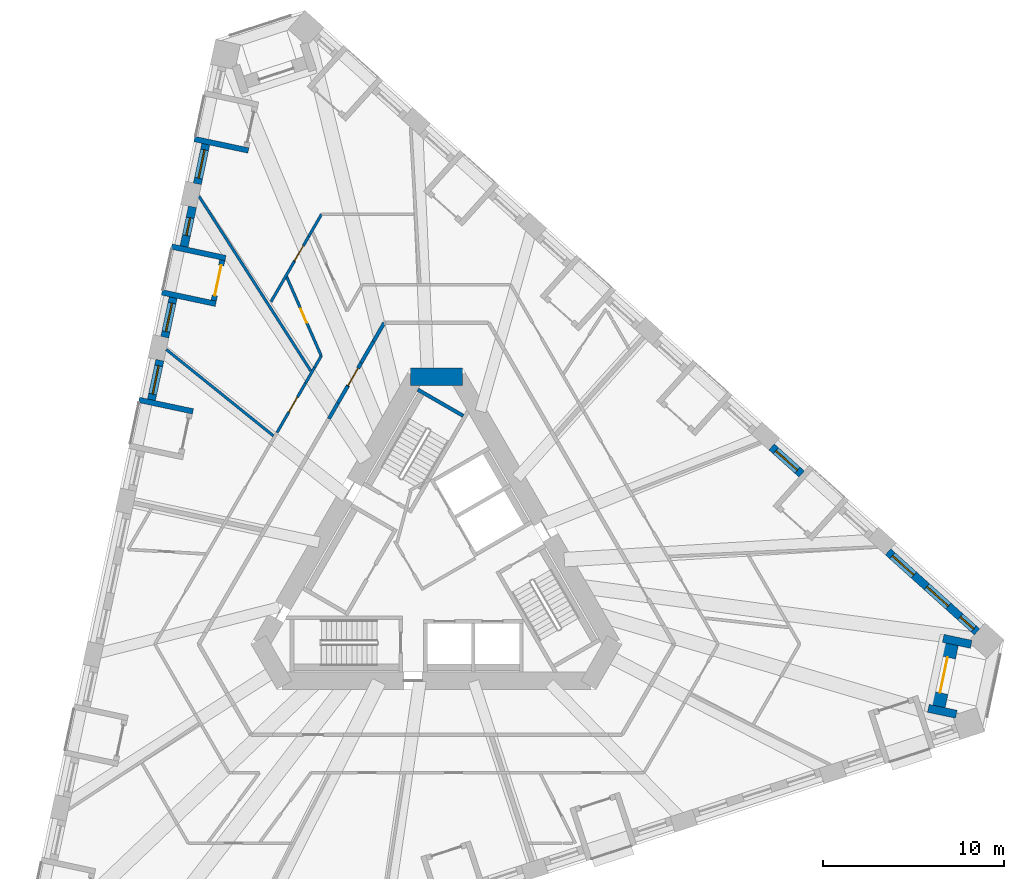
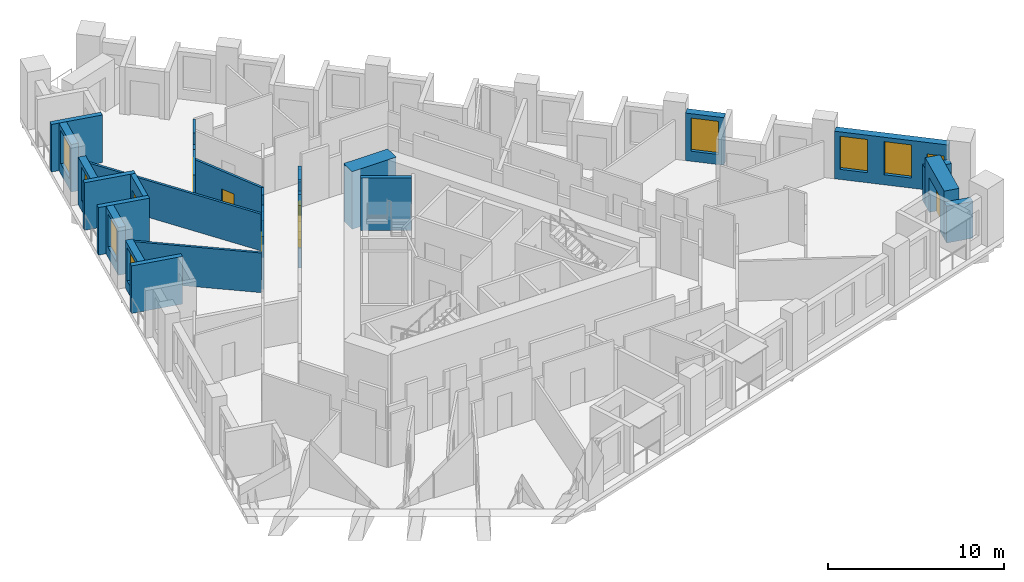
# One storey, part 7 of 12: 30 walls, 8 windows, 6 doors, 14 openings.
"""IFC4 building model written with IfcOpenShell, lengths in metres."""

from ifc_helpers import new_model, si_unit, direction, frame, frame_2d, origin, place, context, subcontext, project, spatial, polyline, rectangle, outline, extrude, material, layer, layer_set, type_object, element, fill, save


model = new_model("IFC4")

# Units and contexts
model_context = context("Model", 3, precision=1e-05, world=origin(), true_north=direction((0.0, 1.0)))
body_context = subcontext(model_context, "Body", "Model", "MODEL_VIEW")
ifc_project = project(units=[si_unit("LENGTHUNIT", "METRE"), si_unit("AREAUNIT", "SQUARE_METRE"), si_unit("VOLUMEUNIT", "CUBIC_METRE"), si_unit("PLANEANGLEUNIT", "RADIAN"), si_unit("MASSUNIT", "GRAM", prefix="KILO")], contexts=[model_context])

# Site, building, storey
site_placement = place(None, origin())
site = spatial("IfcSite", under=ifc_project, at=site_placement, CompositionType="ELEMENT")
building_placement = place(site_placement, origin())
building = spatial("IfcBuilding", under=site, at=building_placement, Name="Tramontana Tower", CompositionType="ELEMENT")
storey_placement = place(building_placement, frame((0.0, 0.0, 96.39990234375)))
storey = spatial("IfcBuildingStorey", under=building, at=storey_placement, Name="L21", CompositionType="ELEMENT", Elevation=96.39990234375)

# Walls
ifc_material_1 = material(Name="Concrete 70 MPa", Category="concrete")
ifc_layer_1 = layer(ifc_material_1, 0.949951171875)
ifc_layer_set_1 = layer_set([ifc_layer_1], Name="Core wall 950 70 MPa")
wall_type_1 = type_object("IfcWallType", Name="Core wall 950 70 MPa", PredefinedType="SHEAR", material=ifc_layer_set_1)
wall_1_placement = place(storey_placement, frame((1.443359375, 10.52490234375, 0.0), z_axis=(0.0, 0.0, 1.0), x_axis=(-1.0, 0.0, 0.0)))
element("IfcWall", 1, at=wall_1_placement, inside=storey, type_object=wall_type_1, Name="Core wall C0 L21", PredefinedType="SHEAR", context=body_context, shape_type="SweptSolid", body=[
    extrude(rectangle(XDim=2.88671875, YDim=0.949951171875, at=frame_2d((1.443359375, 0.0))), origin(), (0.0, 0.0, 1.0), 4.0),
])
ifc_material_2 = material(Name="Blockwork", Category="masonry")
ifc_layer_2 = layer(ifc_material_2, 0.199951171875)
ifc_layer_set_2 = layer_set([ifc_layer_2], Name="ENTRY WALL 200")
wall_type_2 = type_object("IfcWallType", Name="ENTRY WALL 200", PredefinedType="SOLIDWALL", material=ifc_layer_set_2)
wall_2_placement = place(storey_placement, frame((-5.944091796875, 8.20458984375, 0.0), z_axis=(0.0, 0.0, 1.0), x_axis=(0.500051323872, 0.865995769906, 0.0)))
element("IfcWall", 2, at=wall_2_placement, inside=storey, type_object=wall_type_2, Name="Wall v20-ew4-7", PredefinedType="SOLIDWALL", context=body_context, shape_type="SweptSolid", body=[
    extrude(rectangle(XDim=1.0068359375, YDim=0.199951171875, at=frame_2d((0.50341796875, 0.0))), origin(), (0.0, 0.0, 1.0), 2.550048828125),
])
wall_3_placement = place(storey_placement, frame((-5.440673828125, 9.076416015625, 0.0), z_axis=(0.0, 0.0, 1.0), x_axis=(0.499920058375, 0.866071553184, 0.0)))
element("IfcWall", 3, at=wall_3_placement, inside=storey, type_object=wall_type_2, Name="Wall v20-ew4-8", PredefinedType="SOLIDWALL", context=body_context, shape_type="SweptSolid", body=[
    extrude(rectangle(XDim=1.069580078125, YDim=0.199951171875, at=frame_2d((0.53466796875, 0.0))), origin(), (0.0, 0.0, 1.0), 3.650146484375),
])

# Wall, opening, door
wall_4_placement = place(storey_placement, frame((-4.906005859375, 10.002685546875, 0.0), z_axis=(0.0, 0.0, 1.0), x_axis=(0.500096935553, 0.865969430783, 0.0)))
wall_4 = element("IfcWall", 4, at=wall_4_placement, inside=storey, type_object=wall_type_2, Name="Wall v20-ew4-9", PredefinedType="SOLIDWALL", context=body_context, shape_type="SweptSolid", body=[
    extrude(outline(polyline([(0.0, 0.0), (1.486083984375, 0.0), (1.48583984375, 2.550048828125), (0.349853515625, 2.550048828125), (0.349853515625, 3.650146484375), (0.0, 3.650146484375), (0.0, 0.0)])), frame((0.0, 0.10009765625, 0.0), z_axis=(0.0, -1.0, 0.0), x_axis=(1.0, 0.0, 0.0)), (0.0, 0.0, 1.0), 0.199951171875),
])
opening_1_placement = place(wall_4_placement, frame((0.050048828125, 0.0, 0.0)))
opening_1 = element("IfcOpeningElement", 5, at=opening_1_placement, cuts=wall_4, Name="Opening B2A-22", PredefinedType="OPENING", context=body_context, shape_type="SweptSolid", body=[
    extrude(rectangle(XDim=1.10009765625, YDim=2.39990234375, at=frame_2d((0.550048828125, 1.199951171875))), frame((0.0, 0.10986328125, 0.0), z_axis=(0.0, -1.0, 0.0), x_axis=(1.0, 0.0, 0.0)), (0.0, 0.0, 1.0), 0.219970703125),
])
ifc_material_3 = material(Name="Painted timber", Category="wood")
door_type_1 = type_object("IfcDoorType", Name="DOOR ENTRY 1100", OperationType="SINGLE_SWING_LEFT", PredefinedType="DOOR", material=ifc_material_3)
door_1_placement = place(opening_1_placement, origin())
door_1 = element("IfcDoor", 6, at=door_1_placement, inside=storey, type_object=door_type_1, Name="Door B2A-22", OperationType="SINGLE_SWING_RIGHT", OverallHeight=2.39990234375, OverallWidth=1.10009765625, PredefinedType="DOOR", context=body_context, shape_type="SweptSolid", body=[
    extrude(rectangle(XDim=1.10009765625, YDim=2.39990234375, at=frame_2d((0.550048828125, 1.199951171875))), frame((0.0, 0.02490234375, 0.0), z_axis=(0.0, -1.0, 0.0), x_axis=(1.0, 0.0, 0.0)), (0.0, 0.0, 1.0), 0.050048828125),
])
fill(opening_1, door_1)

# Walls
wall_5_placement = place(storey_placement, frame((-4.162841796875, 11.28955078125, 0.0), z_axis=(0.0, 0.0, 1.0), x_axis=(0.499903734186, 0.866080975745, 0.0)))
element("IfcWall", 7, at=wall_5_placement, inside=storey, type_object=wall_type_2, Name="Wall v20-ew4-10", PredefinedType="SOLIDWALL", context=body_context, shape_type="SweptSolid", body=[
    extrude(rectangle(XDim=1.360107421875, YDim=0.199951171875, at=frame_2d((0.68017578125, 0.0))), origin(), (0.0, 0.0, 1.0), 3.650146484375),
])
wall_6_placement = place(storey_placement, frame((-3.48291015625, 12.467529296875, 0.0), z_axis=(0.0, 0.0, 1.0), x_axis=(0.500059236744, 0.865991200733, 0.0)))
element("IfcWall", 8, at=wall_6_placement, inside=storey, type_object=wall_type_2, Name="Wall v20-ew4-11", PredefinedType="SOLIDWALL", context=body_context, shape_type="SweptSolid", body=[
    extrude(rectangle(XDim=1.192138671875, YDim=0.199951171875, at=frame_2d((0.59619140625, 0.0))), origin(), (0.0, 0.0, 1.0), 2.550048828125),
])

# Wall, opening, window
ifc_material_4 = material(Name="Precast concrete 60 MPa", Category="concrete")
ifc_layer_3 = layer(ifc_material_4, 0.449951171875)
ifc_layer_set_3 = layer_set([ifc_layer_3], Name="Precast concrete 60 MPa, 450 mm")
wall_type_3 = type_object("IfcWallType", Name="EW1 Stone-faced precast wall 450", PredefinedType="SOLIDWALL", material=ifc_layer_set_3)
wall_7_placement = place(storey_placement, frame((-12.7451171875, 23.36767578125, 0.0), z_axis=(0.0, 0.0, 1.0), x_axis=(-0.207941001029, -0.978141370197, 0.0)))
wall_7 = element("IfcWall", 9, at=wall_7_placement, inside=storey, type_object=wall_type_3, Name="External wall L21 face 0 bay 1", PredefinedType="SOLIDWALL", context=body_context, shape_type="SweptSolid", body=[
    extrude(rectangle(XDim=2.236572265625, YDim=0.449951171875, at=frame_2d((1.1181640625, 0.0))), origin(), (0.0, 0.0, 1.0), 3.300048828125),
])
opening_2_placement = place(wall_7_placement, frame((0.318359375, 0.0, 0.699951171875)))
opening_2 = element("IfcOpeningElement", 10, at=opening_2_placement, cuts=wall_7, Name="Opening M1", PredefinedType="OPENING", context=body_context, shape_type="SweptSolid", body=[
    extrude(rectangle(XDim=1.60009765625, YDim=2.300048828125, at=frame_2d((0.800048828125, 1.14990234375))), frame((0.0, 0.23486328125, 0.0), z_axis=(0.0, -1.0, 0.0), x_axis=(1.0, 0.0, 0.0)), (0.0, 0.0, 1.0), 0.469970703125),
])
ifc_material_5 = material(Name="Aluminum frame, double glazing unit", Category="aluminium")
window_type_1 = type_object("IfcWindowType", Name="M1 Window 1.6 x 2.3", PartitioningType="SINGLE_PANEL", PredefinedType="WINDOW", material=ifc_material_5)
window_1_placement = place(opening_2_placement, origin())
window_1 = element("IfcWindow", 11, at=window_1_placement, inside=storey, type_object=window_type_1, Name="Window M1 L21 face 0 module 3", OverallHeight=2.300048828125, OverallWidth=1.60009765625, PartitioningType="SINGLE_PANEL", PredefinedType="WINDOW", context=body_context, shape_type="SweptSolid", body=[
    extrude(rectangle(XDim=1.60009765625, YDim=2.300048828125, at=frame_2d((0.800048828125, 1.14990234375))), frame((0.0, 0.030029296875, 0.0), z_axis=(0.0, -1.0, 0.0), x_axis=(1.0, 0.0, 0.0)), (0.0, 0.0, 1.0), 0.06005859375),
])
fill(opening_2, window_1)

wall_8_placement = place(storey_placement, frame((-13.48046875, 19.908203125, 0.0), z_axis=(0.0, 0.0, 1.0), x_axis=(-0.207941001029, -0.978141370197, 0.0)))
wall_8 = element("IfcWall", 12, at=wall_8_placement, inside=storey, type_object=wall_type_3, Name="External wall L21 face 0 bay 2", PredefinedType="SOLIDWALL", context=body_context, shape_type="SweptSolid", body=[
    extrude(rectangle(XDim=2.236572265625, YDim=0.449951171875, at=frame_2d((1.1181640625, 0.0))), origin(), (0.0, 0.0, 1.0), 3.300048828125),
])
opening_3_placement = place(wall_8_placement, frame((0.618408203125, 0.0, 0.699951171875)))
opening_3 = element("IfcOpeningElement", 13, at=opening_3_placement, cuts=wall_8, Name="Opening N1", PredefinedType="OPENING", context=body_context, shape_type="SweptSolid", body=[
    extrude(rectangle(XDim=1.0, YDim=2.300048828125, at=frame_2d((0.5, 1.14990234375))), frame((0.0, 0.23486328125, 0.0), z_axis=(0.0, -1.0, 0.0), x_axis=(1.0, 0.0, 0.0)), (0.0, 0.0, 1.0), 0.469970703125),
])
ifc_material_6 = material(Name="Aluminum frame, double glazing unit", Category="aluminium")
window_type_2 = type_object("IfcWindowType", Name="N1 Window 1 x 2.3", PartitioningType="SINGLE_PANEL", PredefinedType="WINDOW", material=ifc_material_6)
window_2_placement = place(opening_3_placement, origin())
window_2 = element("IfcWindow", 14, at=window_2_placement, inside=storey, type_object=window_type_2, Name="Window N1 L21 face 0 module 4", OverallHeight=2.300048828125, OverallWidth=1.0, PartitioningType="SINGLE_PANEL", PredefinedType="WINDOW", context=body_context, shape_type="SweptSolid", body=[
    extrude(rectangle(XDim=1.0, YDim=2.300048828125, at=frame_2d((0.5, 1.14990234375))), frame((0.0, 0.030029296875, 0.0), z_axis=(0.0, -1.0, 0.0), x_axis=(1.0, 0.0, 0.0)), (0.0, 0.0, 1.0), 0.06005859375),
])
fill(opening_3, window_2)

wall_9_placement = place(storey_placement, frame((-14.545654296875, 14.896728515625, 0.0), z_axis=(0.0, 0.0, 1.0), x_axis=(-0.207941001029, -0.978141370197, 0.0)))
wall_9 = element("IfcWall", 15, at=wall_9_placement, inside=storey, type_object=wall_type_3, Name="External wall L21 face 0 bay 2", PredefinedType="SOLIDWALL", context=body_context, shape_type="SweptSolid", body=[
    extrude(rectangle(XDim=2.236572265625, YDim=0.449951171875, at=frame_2d((1.1181640625, 0.0))), origin(), (0.0, 0.0, 1.0), 3.300048828125),
])
opening_4_placement = place(wall_9_placement, frame((0.318359375, 0.0, 0.699951171875)))
opening_4 = element("IfcOpeningElement", 16, at=opening_4_placement, cuts=wall_9, Name="Opening M1", PredefinedType="OPENING", context=body_context, shape_type="SweptSolid", body=[
    extrude(rectangle(XDim=1.60009765625, YDim=2.300048828125, at=frame_2d((0.800048828125, 1.14990234375))), frame((0.0, 0.23486328125, 0.0), z_axis=(0.0, -1.0, 0.0), x_axis=(1.0, 0.0, 0.0)), (0.0, 0.0, 1.0), 0.469970703125),
])
window_3_placement = place(opening_4_placement, origin())
window_3 = element("IfcWindow", 17, at=window_3_placement, inside=storey, type_object=window_type_1, Name="Window M1 L21 face 0 module 6", OverallHeight=2.300048828125, OverallWidth=1.60009765625, PartitioningType="SINGLE_PANEL", PredefinedType="WINDOW", context=body_context, shape_type="SweptSolid", body=[
    extrude(rectangle(XDim=1.60009765625, YDim=2.300048828125, at=frame_2d((0.800048828125, 1.14990234375))), frame((0.0, 0.030029296875, 0.0), z_axis=(0.0, -1.0, 0.0), x_axis=(1.0, 0.0, 0.0)), (0.0, 0.0, 1.0), 0.06005859375),
])
fill(opening_4, window_3)

wall_10_placement = place(storey_placement, frame((-15.281005859375, 11.437255859375, 0.0), z_axis=(0.0, 0.0, 1.0), x_axis=(-0.207941001029, -0.978141370197, 0.0)))
wall_10 = element("IfcWall", 18, at=wall_10_placement, inside=storey, type_object=wall_type_3, Name="External wall L21 face 0 bay 3", PredefinedType="SOLIDWALL", context=body_context, shape_type="SweptSolid", body=[
    extrude(rectangle(XDim=2.236572265625, YDim=0.449951171875, at=frame_2d((1.1181640625, 0.0))), origin(), (0.0, 0.0, 1.0), 3.300048828125),
])
opening_5_placement = place(wall_10_placement, frame((0.318359375, 0.0, 0.699951171875)))
opening_5 = element("IfcOpeningElement", 19, at=opening_5_placement, cuts=wall_10, Name="Opening M1", PredefinedType="OPENING", context=body_context, shape_type="SweptSolid", body=[
    extrude(rectangle(XDim=1.60009765625, YDim=2.300048828125, at=frame_2d((0.800048828125, 1.14990234375))), frame((0.0, 0.23486328125, 0.0), z_axis=(0.0, -1.0, 0.0), x_axis=(1.0, 0.0, 0.0)), (0.0, 0.0, 1.0), 0.469970703125),
])
window_4_placement = place(opening_5_placement, origin())
window_4 = element("IfcWindow", 20, at=window_4_placement, inside=storey, type_object=window_type_1, Name="Window M1 L21 face 0 module 7", OverallHeight=2.300048828125, OverallWidth=1.60009765625, PartitioningType="SINGLE_PANEL", PredefinedType="WINDOW", context=body_context, shape_type="SweptSolid", body=[
    extrude(rectangle(XDim=1.60009765625, YDim=2.300048828125, at=frame_2d((0.800048828125, 1.14990234375))), frame((0.0, 0.030029296875, 0.0), z_axis=(0.0, -1.0, 0.0), x_axis=(1.0, 0.0, 0.0)), (0.0, 0.0, 1.0), 0.06005859375),
])
fill(opening_5, window_4)

# Wall, openings, windows
wall_11_placement = place(storey_placement, frame((29.85986328125, -3.57275390625, 0.0), z_axis=(0.0, 0.0, 1.0), x_axis=(-0.743161908204, 0.669111633582, 0.0)))
wall_11 = element("IfcWall", 21, at=wall_11_placement, inside=storey, type_object=wall_type_3, Name="External wall L21 face 2 bay 1", PredefinedType="SOLIDWALL", context=body_context, shape_type="SweptSolid", body=[
    extrude(rectangle(XDim=6.6103515625, YDim=0.449951171875, at=frame_2d((3.30517578125, 0.0))), origin(), (0.0, 0.0, 1.0), 3.300048828125),
])
opening_6_placement = place(wall_11_placement, frame((0.243408203125, 0.0, 0.699951171875)))
opening_6 = element("IfcOpeningElement", 22, at=opening_6_placement, cuts=wall_11, Name="Opening N1L", PredefinedType="OPENING", context=body_context, shape_type="SweptSolid", body=[
    extrude(rectangle(XDim=1.0, YDim=1.800048828125, at=frame_2d((0.5, 0.89990234375))), frame((0.0, 0.23486328125, 0.0), z_axis=(0.0, -1.0, 0.0), x_axis=(1.0, 0.0, 0.0)), (0.0, 0.0, 1.0), 0.469970703125),
])
opening_7_placement = place(wall_11_placement, frame((2.130126953125, 0.0, 0.699951171875)))
opening_7 = element("IfcOpeningElement", 23, at=opening_7_placement, cuts=wall_11, Name="Opening M1", PredefinedType="OPENING", context=body_context, shape_type="SweptSolid", body=[
    extrude(rectangle(XDim=1.60009765625, YDim=2.300048828125, at=frame_2d((0.800048828125, 1.14990234375))), frame((0.0, 0.23486328125, 0.0), z_axis=(0.0, -1.0, 0.0), x_axis=(1.0, 0.0, 0.0)), (0.0, 0.0, 1.0), 0.469970703125),
])
opening_8_placement = place(wall_11_placement, frame((4.69189453125, 0.0, 0.699951171875)))
opening_8 = element("IfcOpeningElement", 24, at=opening_8_placement, cuts=wall_11, Name="Opening M1", PredefinedType="OPENING", context=body_context, shape_type="SweptSolid", body=[
    extrude(rectangle(XDim=1.60009765625, YDim=2.300048828125, at=frame_2d((0.800048828125, 1.14990234375))), frame((0.0, 0.23486328125, 0.0), z_axis=(0.0, -1.0, 0.0), x_axis=(1.0, 0.0, 0.0)), (0.0, 0.0, 1.0), 0.469970703125),
])
window_5_placement = place(opening_7_placement, origin())
window_5 = element("IfcWindow", 25, at=window_5_placement, inside=storey, type_object=window_type_1, Name="Window M1 L21 face 2 module 2", OverallHeight=2.300048828125, OverallWidth=1.60009765625, PartitioningType="SINGLE_PANEL", PredefinedType="WINDOW", context=body_context, shape_type="SweptSolid", body=[
    extrude(rectangle(XDim=1.60009765625, YDim=2.300048828125, at=frame_2d((0.800048828125, 1.14990234375))), frame((0.0, 0.030029296875, 0.0), z_axis=(0.0, -1.0, 0.0), x_axis=(1.0, 0.0, 0.0)), (0.0, 0.0, 1.0), 0.06005859375),
])
fill(opening_7, window_5)
window_6_placement = place(opening_8_placement, origin())
window_6 = element("IfcWindow", 26, at=window_6_placement, inside=storey, type_object=window_type_1, Name="Window M1 L21 face 2 module 3", OverallHeight=2.300048828125, OverallWidth=1.60009765625, PartitioningType="SINGLE_PANEL", PredefinedType="WINDOW", context=body_context, shape_type="SweptSolid", body=[
    extrude(rectangle(XDim=1.60009765625, YDim=2.300048828125, at=frame_2d((0.800048828125, 1.14990234375))), frame((0.0, 0.030029296875, 0.0), z_axis=(0.0, -1.0, 0.0), x_axis=(1.0, 0.0, 0.0)), (0.0, 0.0, 1.0), 0.06005859375),
])
fill(opening_8, window_6)
ifc_material_7 = material(Name="Aluminum frame, double glazing unit", Category="aluminium")
window_type_3 = type_object("IfcWindowType", Name="N1L Window 1 x 1.8", PartitioningType="SINGLE_PANEL", PredefinedType="WINDOW", material=ifc_material_7)
window_7_placement = place(opening_6_placement, origin())
window_7 = element("IfcWindow", 27, at=window_7_placement, inside=storey, type_object=window_type_3, Name="Window N1L L21 face 2 module 1", OverallHeight=1.800048828125, OverallWidth=1.0, PartitioningType="SINGLE_PANEL", PredefinedType="WINDOW", context=body_context, shape_type="SweptSolid", body=[
    extrude(rectangle(XDim=1.0, YDim=1.800048828125, at=frame_2d((0.5, 0.89990234375))), frame((0.0, 0.030029296875, 0.0), z_axis=(0.0, -1.0, 0.0), x_axis=(1.0, 0.0, 0.0)), (0.0, 0.0, 1.0), 0.06005859375),
])
fill(opening_6, window_7)

# Wall, opening, window
wall_12_placement = place(storey_placement, frame((20.173828125, 5.1484375, 0.0), z_axis=(0.0, 0.0, 1.0), x_axis=(-0.743136746477, 0.669139578889, 0.0)))
wall_12 = element("IfcWall", 28, at=wall_12_placement, inside=storey, type_object=wall_type_3, Name="External wall L21 face 2 bay 2", PredefinedType="SOLIDWALL", context=body_context, shape_type="SweptSolid", body=[
    extrude(rectangle(XDim=2.237060546875, YDim=0.449951171875, at=frame_2d((1.11865234375, 0.0))), origin(), (0.0, 0.0, 1.0), 3.300048828125),
])
opening_9_placement = place(wall_12_placement, frame((0.318359375, 0.0, 0.699951171875)))
opening_9 = element("IfcOpeningElement", 29, at=opening_9_placement, cuts=wall_12, Name="Opening M1", PredefinedType="OPENING", context=body_context, shape_type="SweptSolid", body=[
    extrude(rectangle(XDim=1.60009765625, YDim=2.300048828125, at=frame_2d((0.800048828125, 1.14990234375))), frame((0.0, 0.23486328125, 0.0), z_axis=(0.0, -1.0, 0.0), x_axis=(1.0, 0.0, 0.0)), (0.0, 0.0, 1.0), 0.469970703125),
])
window_8_placement = place(opening_9_placement, origin())
window_8 = element("IfcWindow", 30, at=window_8_placement, inside=storey, type_object=window_type_1, Name="Window M1 L21 face 2 module 6", OverallHeight=2.300048828125, OverallWidth=1.60009765625, PartitioningType="SINGLE_PANEL", PredefinedType="WINDOW", context=body_context, shape_type="SweptSolid", body=[
    extrude(rectangle(XDim=1.60009765625, YDim=2.300048828125, at=frame_2d((0.800048828125, 1.14990234375))), frame((0.0, 0.030029296875, 0.0), z_axis=(0.0, -1.0, 0.0), x_axis=(1.0, 0.0, 0.0)), (0.0, 0.0, 1.0), 0.06005859375),
])
fill(opening_9, window_8)

# Walls
for number, where, z_axis, x_axis, name in (
    (31, (29.5390625, -4.259521484375, 0.0), (0.0, 0.0, 1.0), (-0.978142738706, 0.207934563547, 0.0), "Corner loggia side wall L21 K22l"),
    (32, (28.7177734375, -8.123291015625, 0.0), (0.0, 0.0, 1.0), (-0.978142738706, 0.207934563547, 0.0), "Corner loggia side wall L21 K22r"),
):
    element("IfcWall", number, at=place(storey_placement, frame(where, z_axis=z_axis, x_axis=x_axis)), inside=storey, type_object=wall_type_3, Name=name, PredefinedType="SOLIDWALL", context=body_context, shape_type="SweptSolid", body=[
        extrude(rectangle(XDim=1.5791015625, YDim=0.449951171875, at=frame_2d((0.78955078125, 0.0))), origin(), (0.0, 0.0, 1.0), 2.550048828125),
    ])

# Wall, opening, door
ifc_material_8 = material(Name="Precast concrete 60 MPa", Category="concrete")
ifc_layer_4 = layer(ifc_material_8, 0.89990234375)
ifc_layer_set_4 = layer_set([ifc_layer_4], Name="EW2 Stone-faced corner loggia wall 900")
wall_type_4 = type_object("IfcWallType", Name="EW2 Stone-faced corner loggia wall 900", PredefinedType="SOLIDWALL", material=ifc_layer_set_4)
wall_13_placement = place(storey_placement, frame((28.3876953125, -4.244873046875, 0.0), z_axis=(0.0, 0.0, 1.0), x_axis=(-0.207866264069, -0.978157255385, 0.0)))
wall_13 = element("IfcWall", 33, at=wall_13_placement, inside=storey, type_object=wall_type_4, Name="Corner loggia wall L21 K22", PredefinedType="SOLIDWALL", context=body_context, shape_type="SweptSolid", body=[
    extrude(rectangle(XDim=3.5, YDim=0.89990234375, at=frame_2d((1.75, 0.0))), origin(), (0.0, 0.0, 1.0), 3.300048828125),
])
opening_10_placement = place(wall_13_placement, frame((0.75, 0.0, 0.0)))
opening_10 = element("IfcOpeningElement", 34, at=opening_10_placement, cuts=wall_13, Name="Opening BD-22C", PredefinedType="OPENING", context=body_context, shape_type="SweptSolid", body=[
    extrude(rectangle(XDim=2.0, YDim=2.39990234375, at=frame_2d((1.0, 1.199951171875))), frame((0.0, 0.4599609375, 0.0), z_axis=(0.0, -1.0, 0.0), x_axis=(1.0, 0.0, 0.0)), (0.0, 0.0, 1.0), 0.919921875),
])
ifc_material_9 = material(Name="Aluminum frame, double glazing unit", Category="aluminium")
door_type_2 = type_object("IfcDoorType", Name="BC1 Sliding door 2 x 2.4", OperationType="SLIDING_TO_LEFT", PredefinedType="DOOR", material=ifc_material_9)
door_2_placement = place(opening_10_placement, origin())
door_2 = element("IfcDoor", 35, at=door_2_placement, inside=storey, type_object=door_type_2, Name="Corner loggia door L21 K22", OperationType="SLIDING_TO_LEFT", OverallHeight=2.39990234375, OverallWidth=2.0, PredefinedType="DOOR", context=body_context, shape_type="SweptSolid", body=[
    extrude(rectangle(XDim=2.0, YDim=2.39990234375, at=frame_2d((1.0, 1.199951171875))), frame((0.0, 0.02490234375, 0.0), z_axis=(0.0, -1.0, 0.0), x_axis=(1.0, 0.0, 0.0)), (0.0, 0.0, 1.0), 0.050048828125),
])
fill(opening_10, door_2)

# Wall
ifc_material_10 = material(Name="Precast concrete 60 MPa", Category="concrete")
ifc_layer_5 = layer(ifc_material_10, 0.300048828125)
ifc_layer_set_5 = layer_set([ifc_layer_5], Name="LW1 Stone-faced loggia wall 300")
wall_type_5 = type_object("IfcWallType", Name="LW1 Stone-faced loggia wall 300", PredefinedType="SOLIDWALL", material=ifc_layer_set_5)
wall_14_placement = place(storey_placement, frame((-13.3740234375, 23.65478515625, 0.0), z_axis=(0.0, 0.0, 1.0), x_axis=(0.978151322619, -0.207894179953, 0.0)))
element("IfcWall", 36, at=wall_14_placement, inside=storey, type_object=wall_type_5, Name="Loggia return L21 G2S0.1b", PredefinedType="SOLIDWALL", context=body_context, shape_type="SweptSolid", body=[
    extrude(rectangle(XDim=3.0498046875, YDim=0.300048828125, at=frame_2d((1.52490234375, 0.0))), origin(), (0.0, 0.0, 1.0), 3.300048828125),
])

# Wall, opening, door
wall_15_placement = place(storey_placement, frame((-11.83154296875, 16.96435546875, 0.0), z_axis=(0.0, 0.0, 1.0), x_axis=(-0.207866417042, -0.978157222877, 0.0)))
wall_15 = element("IfcWall", 37, at=wall_15_placement, inside=storey, type_object=wall_type_5, Name="Loggia wall L21 G2S0.4", PredefinedType="SOLIDWALL", context=body_context, shape_type="SweptSolid", body=[
    extrude(rectangle(XDim=2.286865234375, YDim=0.300048828125, at=frame_2d((1.1435546875, 0.0))), origin(), (0.0, 0.0, 1.0), 3.300048828125),
])
opening_11_placement = place(wall_15_placement, frame((0.29345703125, 0.0, 0.0)))
opening_11 = element("IfcOpeningElement", 38, at=opening_11_placement, cuts=wall_15, Name="Opening BD-2S0-04", PredefinedType="OPENING", context=body_context, shape_type="SweptSolid", body=[
    extrude(rectangle(XDim=1.699951171875, YDim=2.39990234375, at=frame_2d((0.85009765625, 1.199951171875))), frame((0.0, 0.159912109375, 0.0), z_axis=(0.0, -1.0, 0.0), x_axis=(1.0, 0.0, 0.0)), (0.0, 0.0, 1.0), 0.320068359375),
])
ifc_material_11 = material(Name="Aluminum frame, double glazing unit", Category="aluminium")
door_type_3 = type_object("IfcDoorType", Name="BD1 Sliding door 1.7 x 2.4", OperationType="SLIDING_TO_LEFT", PredefinedType="DOOR", material=ifc_material_11)
door_3_placement = place(opening_11_placement, origin())
door_3 = element("IfcDoor", 39, at=door_3_placement, inside=storey, type_object=door_type_3, Name="Loggia door L21 G2S0.4", OperationType="SLIDING_TO_LEFT", OverallHeight=2.39990234375, OverallWidth=1.699951171875, PredefinedType="DOOR", context=body_context, shape_type="SweptSolid", body=[
    extrude(rectangle(XDim=1.699951171875, YDim=2.39990234375, at=frame_2d((0.85009765625, 1.199951171875))), frame((0.0, 0.02490234375, 0.0), z_axis=(0.0, -1.0, 0.0), x_axis=(1.0, 0.0, 0.0)), (0.0, 0.0, 1.0), 0.050048828125),
])
fill(opening_11, door_3)

# Walls
for number, where, z_axis, x_axis, name in (
    (40, (-14.636962890625, 17.714111328125, 0.0), (0.0, 0.0, 1.0), (0.978138503145, -0.207954487003, 0.0), "Loggia return L21 G2S0.4a"),
    (41, (-15.1748046875, 15.183837890625, 0.0), (0.0, 0.0, 1.0), (0.978138503145, -0.207954487003, 0.0), "Loggia return L21 G2S0.4b"),
    (42, (-16.4375, 9.242919921875, 0.0), (0.0, 0.0, 1.0), (0.978154782045, -0.207877902534, 0.0), "Loggia return L21 G2S0.7a"),
):
    element("IfcWall", number, at=place(storey_placement, frame(where, z_axis=z_axis, x_axis=x_axis)), inside=storey, type_object=wall_type_5, Name=name, PredefinedType="SOLIDWALL", context=body_context, shape_type="SweptSolid", body=[
        extrude(rectangle(XDim=3.050048828125, YDim=0.300048828125, at=frame_2d((1.52490234375, 0.0))), origin(), (0.0, 0.0, 1.0), 3.300048828125),
    ])

# Wall, opening, door
ifc_material_12 = material(Name="Gypsum board partition")
ifc_layer_6 = layer(ifc_material_12, 0.14990234375)
ifc_layer_set_6 = layer_set([ifc_layer_6], Name="PARTITION 150")
wall_type_6 = type_object("IfcWallType", Name="PARTITION 150", PredefinedType="PARTITIONING", material=ifc_layer_set_6)
wall_16_placement = place(storey_placement, frame((-8.809326171875, 7.44189453125, 0.0), z_axis=(0.0, 0.0, 1.0), x_axis=(0.500003371769, 0.866023457084, 0.0)))
wall_16 = element("IfcWall", 43, at=wall_16_placement, inside=storey, type_object=wall_type_6, Name="Wall v20-pw02-5", PredefinedType="PARTITIONING", context=body_context, shape_type="SweptSolid", body=[
    extrude(rectangle(XDim=3.15966796875, YDim=0.14990234375, at=frame_2d((1.579833984375, 0.0))), origin(), (0.0, 0.0, 1.0), 3.650146484375),
])
opening_12_placement = place(wall_16_placement, frame((1.30712890625, 0.0, 0.0)))
opening_12 = element("IfcOpeningElement", 44, at=opening_12_placement, cuts=wall_16, Name="Opening B2A-05", PredefinedType="OPENING", context=body_context, shape_type="SweptSolid", body=[
    extrude(rectangle(XDim=0.949951171875, YDim=2.39990234375, at=frame_2d((0.47509765625, 1.199951171875))), frame((0.0, 0.0849609375, 0.0), z_axis=(0.0, -1.0, 0.0), x_axis=(1.0, 0.0, 0.0)), (0.0, 0.0, 1.0), 0.169921875),
])
ifc_material_13 = material(Name="Painted timber", Category="wood")
door_type_4 = type_object("IfcDoorType", Name="DOOR ROOM 950", OperationType="SINGLE_SWING_LEFT", PredefinedType="DOOR", material=ifc_material_13)
door_4_placement = place(opening_12_placement, origin())
door_4 = element("IfcDoor", 45, at=door_4_placement, inside=storey, type_object=door_type_4, Name="Door B2A-05", OperationType="SINGLE_SWING_LEFT", OverallHeight=2.39990234375, OverallWidth=0.949951171875, PredefinedType="DOOR", context=body_context, shape_type="SweptSolid", body=[
    extrude(rectangle(XDim=0.949951171875, YDim=2.39990234375, at=frame_2d((0.47509765625, 1.199951171875))), frame((0.0, 0.02490234375, 0.0), z_axis=(0.0, -1.0, 0.0), x_axis=(1.0, 0.0, 0.0)), (0.0, 0.0, 1.0), 0.050048828125),
])
fill(opening_12, door_4)

# Walls
wall_17_placement = place(storey_placement, frame((-7.2294921875, 10.17822265625, 0.0), z_axis=(0.0, 0.0, 1.0), x_axis=(0.500082280366, 0.865977893981, 0.0)))
element("IfcWall", 46, at=wall_17_placement, inside=storey, type_object=wall_type_6, Name="Wall v20-pw02-6", PredefinedType="PARTITIONING", context=body_context, shape_type="SweptSolid", body=[
    extrude(rectangle(XDim=0.978759765625, YDim=0.14990234375, at=frame_2d((0.4892578125, 0.0))), origin(), (0.0, 0.0, 1.0), 2.550048828125),
])
wall_18_placement = place(storey_placement, frame((-6.739990234375, 11.02587890625, 0.0), z_axis=(0.0, 0.0, 1.0), x_axis=(0.499826079786, 0.866125793385, 0.0)))
element("IfcWall", 47, at=wall_18_placement, inside=storey, type_object=wall_type_6, Name="Wall v20-pw02-7", PredefinedType="PARTITIONING", context=body_context, shape_type="SweptSolid", body=[
    extrude(rectangle(XDim=0.747802734375, YDim=0.14990234375, at=frame_2d((0.3740234375, 0.0))), origin(), (0.0, 0.0, 1.0), 3.650146484375),
])
wall_19_placement = place(storey_placement, frame((-9.14013671875, 14.6689453125, 0.0), z_axis=(0.0, 0.0, 1.0), x_axis=(0.500016107458, 0.866016103939, 0.0)))
element("IfcWall", 48, at=wall_19_placement, inside=storey, type_object=wall_type_6, Name="Wall v20-pw09-1", PredefinedType="PARTITIONING", context=body_context, shape_type="SweptSolid", body=[
    extrude(rectangle(XDim=2.56689453125, YDim=0.14990234375, at=frame_2d((1.283447265625, 0.0))), origin(), (0.0, 0.0, 1.0), 3.650146484375),
])

# Wall, opening, door
wall_20_placement = place(storey_placement, frame((-7.856689453125, 16.891845703125, 0.0), z_axis=(0.0, 0.0, 1.0), x_axis=(0.499973003918, 0.866040989419, 0.0)))
wall_20 = element("IfcWall", 49, at=wall_20_placement, inside=storey, type_object=wall_type_6, Name="Wall v20-pw09-2", PredefinedType="PARTITIONING", context=body_context, shape_type="SweptSolid", body=[
    extrude(outline(polyline([(0.0, 0.0), (1.6025390625, 0.0), (1.6025390625, 2.550048828125), (0.497802734375, 2.550048828125), (0.497802734375, 3.650146484375), (0.0, 3.650146484375), (0.0, 0.0)])), frame((0.0, 0.074951171875, 0.0), z_axis=(0.0, -1.0, 0.0), x_axis=(1.0, 0.0, 0.0)), (0.0, 0.0, 1.0), 0.14990234375),
])
opening_13_placement = place(wall_20_placement, frame((0.050048828125, 0.0, 0.0)))
opening_13 = element("IfcOpeningElement", 50, at=opening_13_placement, cuts=wall_20, Name="Opening B2A-03", PredefinedType="OPENING", context=body_context, shape_type="SweptSolid", body=[
    extrude(rectangle(XDim=0.949951171875, YDim=2.39990234375, at=frame_2d((0.47509765625, 1.199951171875))), frame((0.0, 0.0849609375, 0.0), z_axis=(0.0, -1.0, 0.0), x_axis=(1.0, 0.0, 0.0)), (0.0, 0.0, 1.0), 0.169921875),
])
door_5_placement = place(opening_13_placement, origin())
door_5 = element("IfcDoor", 51, at=door_5_placement, inside=storey, type_object=door_type_4, Name="Door B2A-03", OperationType="SINGLE_SWING_LEFT", OverallHeight=2.39990234375, OverallWidth=0.949951171875, PredefinedType="DOOR", context=body_context, shape_type="SweptSolid", body=[
    extrude(rectangle(XDim=0.949951171875, YDim=2.39990234375, at=frame_2d((0.47509765625, 1.199951171875))), frame((0.0, 0.02490234375, 0.0), z_axis=(0.0, -1.0, 0.0), x_axis=(1.0, 0.0, 0.0)), (0.0, 0.0, 1.0), 0.050048828125),
])
fill(opening_13, door_5)

# Walls
wall_21_placement = place(storey_placement, frame((-7.055419921875, 18.27978515625, 0.0), z_axis=(0.0, 0.0, 1.0), x_axis=(0.500052415518, 0.865995139556, 0.0)))
element("IfcWall", 52, at=wall_21_placement, inside=storey, type_object=wall_type_6, Name="Wall v20-pw09-3", PredefinedType="PARTITIONING", context=body_context, shape_type="SweptSolid", body=[
    extrude(rectangle(XDim=1.408935546875, YDim=0.14990234375, at=frame_2d((0.70458984375, 0.0))), origin(), (0.0, 0.0, 1.0), 3.650146484375),
])
wall_22_placement = place(storey_placement, frame((-9.00390625, 7.2548828125, 0.0), z_axis=(0.0, 0.0, 1.0), x_axis=(-0.778684200607, 0.627416062692, 0.0)))
element("IfcWall", 53, at=wall_22_placement, inside=storey, type_object=wall_type_6, Name="Wall v20-pw10-0", PredefinedType="PARTITIONING", context=body_context, shape_type="SweptSolid", body=[
    extrude(rectangle(XDim=7.60498046875, YDim=0.14990234375, at=frame_2d((3.802490234375, 0.0))), origin(), (0.0, 0.0, 1.0), 2.75),
])
wall_23_placement = place(storey_placement, frame((-6.9375, 10.833984375, 0.0), z_axis=(0.0, 0.0, 1.0), x_axis=(-0.539252318239, 0.842144249683, 0.0)))
element("IfcWall", 54, at=wall_23_placement, inside=storey, type_object=wall_type_6, Name="Wall v20-pw13-0", PredefinedType="PARTITIONING", context=body_context, shape_type="SweptSolid", body=[
    extrude(rectangle(XDim=11.474609375, YDim=0.14990234375, at=frame_2d((5.7373046875, 0.0))), origin(), (0.0, 0.0, 1.0), 2.550048828125),
])

# Wall, opening, door
wall_24_placement = place(storey_placement, frame((-6.365966796875, 11.67529296875, 0.0), z_axis=(0.0, 0.0, 1.0), x_axis=(-0.401014713365, 0.916071612738, 0.0)))
wall_24 = element("IfcWall", 55, at=wall_24_placement, inside=storey, type_object=wall_type_6, Name="Wall v20-pw15", PredefinedType="PARTITIONING", context=body_context, shape_type="SweptSolid", body=[
    extrude(rectangle(XDim=4.838134765625, YDim=0.14990234375, at=frame_2d((2.4189453125, 0.0))), origin(), (0.0, 0.0, 1.0), 3.650146484375),
])
opening_14_placement = place(wall_24_placement, frame((1.994140625, 0.0, 0.0)))
opening_14 = element("IfcOpeningElement", 56, at=opening_14_placement, cuts=wall_24, Name="Opening B2A-02", PredefinedType="OPENING", context=body_context, shape_type="SweptSolid", body=[
    extrude(rectangle(XDim=0.85009765625, YDim=2.39990234375, at=frame_2d((0.425048828125, 1.199951171875))), frame((0.0, 0.0849609375, 0.0), z_axis=(0.0, -1.0, 0.0), x_axis=(1.0, 0.0, 0.0)), (0.0, 0.0, 1.0), 0.169921875),
])
ifc_material_14 = material(Name="Painted timber", Category="wood")
door_type_5 = type_object("IfcDoorType", Name="DOOR BATH 850", OperationType="SINGLE_SWING_LEFT", PredefinedType="DOOR", material=ifc_material_14)
door_6_placement = place(opening_14_placement, origin())
door_6 = element("IfcDoor", 57, at=door_6_placement, inside=storey, type_object=door_type_5, Name="Door B2A-02", OperationType="SINGLE_SWING_RIGHT", OverallHeight=2.39990234375, OverallWidth=0.85009765625, PredefinedType="DOOR", context=body_context, shape_type="SweptSolid", body=[
    extrude(rectangle(XDim=0.85009765625, YDim=2.39990234375, at=frame_2d((0.425048828125, 1.199951171875))), frame((0.0, 0.02490234375, 0.0), z_axis=(0.0, -1.0, 0.0), x_axis=(1.0, 0.0, 0.0)), (0.0, 0.0, 1.0), 0.050048828125),
])
fill(opening_14, door_6)

# Wall
ifc_material_15 = material(Name="Concrete 70 MPa", Category="concrete")
ifc_layer_7 = layer(ifc_material_15, 0.199951171875)
ifc_layer_set_7 = layer_set([ifc_layer_7], Name="Concrete 70 MPa, 200 mm")
wall_type_7 = type_object("IfcWallType", Name="RC STAIR AND SHAFT WALL 200", PredefinedType="SOLIDWALL", material=ifc_layer_set_7)
wall_25_placement = place(storey_placement, frame((1.478515625, 8.36083984375, 0.0), z_axis=(0.0, 0.0, 1.0), x_axis=(-0.866032775405, 0.499987231761, 0.0)))
element("IfcWall", 58, at=wall_25_placement, inside=storey, type_object=wall_type_7, Name="Wall st1-far", PredefinedType="SOLIDWALL", context=body_context, shape_type="SweptSolid", body=[
    extrude(rectangle(XDim=2.89990234375, YDim=0.199951171875, at=frame_2d((1.449951171875, 0.0))), origin(), (0.0, 0.0, 1.0), 3.650146484375),
])

save(model, "model.ifc")
